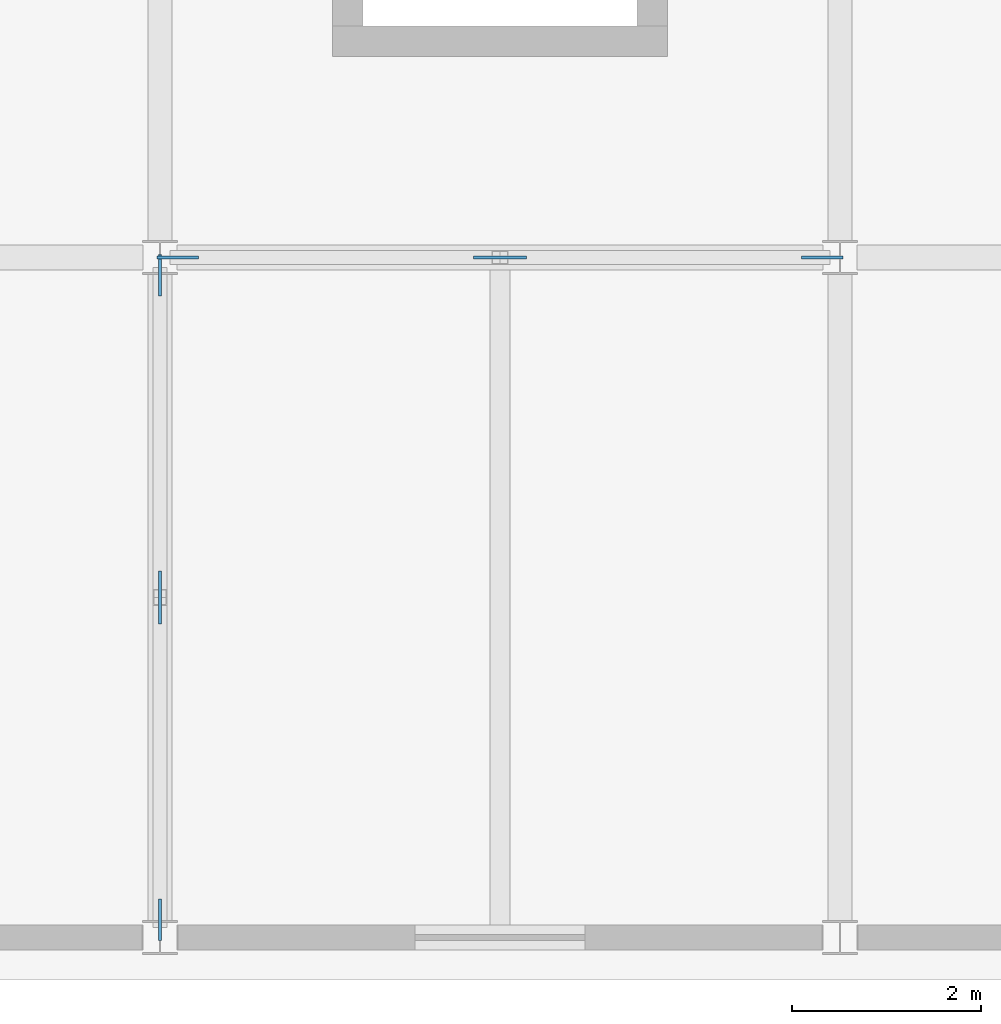
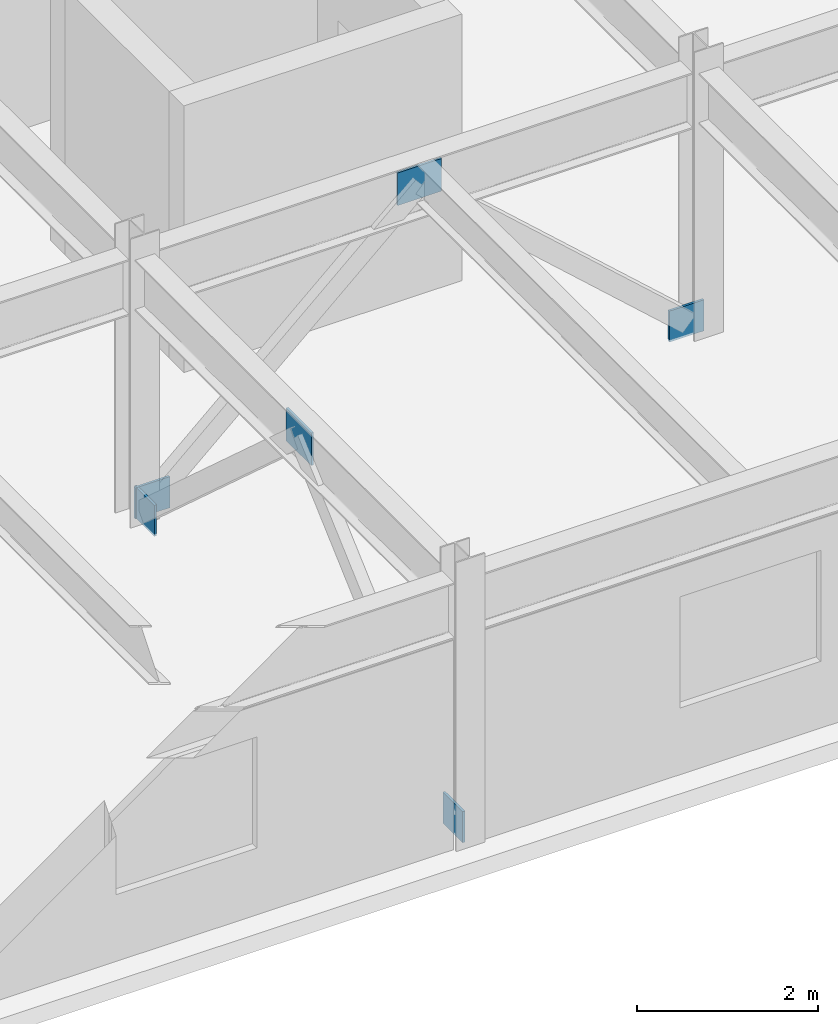
# One storey, part 50 of 80: 6 plates.
"""IFC4 building model written with IfcOpenShell, lengths in metres."""

from ifc_helpers import new_model, si_unit, direction, frame, origin, origin_2d, place, context, subcontext, project, spatial, rectangle, extrude, material, layer, layer_set, type_object, element, save


model = new_model("IFC4")

# Units and contexts
model_context = context("Model", 3, precision=1e-05, world=origin(), true_north=direction((0.0, 1.0)))
body_context = subcontext(model_context, "Body", "Model", "MODEL_VIEW")
ifc_project = project(units=[si_unit("LENGTHUNIT", "METRE"), si_unit("AREAUNIT", "SQUARE_METRE"), si_unit("VOLUMEUNIT", "CUBIC_METRE"), si_unit("PLANEANGLEUNIT", "RADIAN"), si_unit("MASSUNIT", "GRAM", prefix="KILO")], contexts=[model_context])

# Site, building, storey
site_placement = place(None, origin())
site = spatial("IfcSite", under=ifc_project, at=site_placement, CompositionType="ELEMENT")
building_placement = place(site_placement, origin())
building = spatial("IfcBuilding", under=site, at=building_placement, Name="Vaelcorin Mobility Hub", CompositionType="ELEMENT")
storey_placement = place(building_placement, frame((0.0, 0.0, 9.300048828125)))
storey = spatial("IfcBuildingStorey", under=building, at=storey_placement, Name="L02", CompositionType="ELEMENT", Elevation=9.300048828125)

# Plates
ifc_material = material(Name="Steel ASTM A572 Grade 50", Category="steel")
ifc_layer = layer(ifc_material, 0.030029296875)
ifc_layer_set = layer_set([ifc_layer], Name="Steel ASTM A572 Grade 50")
plate_type = type_object("IfcPlateType", Name="PL-GN2", PredefinedType="USERDEFINED", material=ifc_layer_set)
for number, where, z_axis, x_axis, name in (
    (1, (160.989990234375, 13.199951171875, -0.030029296875), (0.0, 0.0, 1.0), (1.0, 0.0, 0.0), "SCBF Gusset Plate GN2 V5-BX1-L02-A"),
    (2, (167.81005859375, 13.199951171875, -0.030029296875), (0.0, 0.0, 1.0), (1.0, 0.0, 0.0), "SCBF Gusset Plate GN2 V5-BX1-L02-B"),
):
    element("IfcPlate", number, at=place(storey_placement, frame(where, z_axis=z_axis, x_axis=x_axis)), inside=storey, type_object=plate_type, Name=name, ObjectType="GUSSET PLATE", PredefinedType="USERDEFINED", context=body_context, shape_type="SweptSolid", body=[
        extrude(rectangle(XDim=0.43994140625, YDim=0.030029296875, at=origin_2d()), origin(), (0.0, 0.0, 1.0), 0.419921875),
    ])
plate_1_placement = place(storey_placement, frame((164.39990234375, 13.199951171875, 3.030029296875), z_axis=(0.0, 0.0, 1.0), x_axis=(1.0, 0.0, 0.0)))
element("IfcPlate", 3, at=plate_1_placement, inside=storey, type_object=plate_type, Name="SCBF Apex Gusset GN2 V5-BX1-L02", ObjectType="GUSSET PLATE", PredefinedType="USERDEFINED", context=body_context, shape_type="SweptSolid", body=[
    extrude(rectangle(XDim=0.56005859375, YDim=0.030029296875, at=origin_2d()), origin(), (0.0, 0.0, 1.0), 0.43994140625),
])
for number, where, z_axis, x_axis, name in (
    (4, (160.800048828125, 6.18994140625, -0.030029296875), (0.0, 0.0, 1.0), (0.0, 1.0, 0.0), "SCBF Gusset Plate GN2 V5-BY1-L02-A"),
    (5, (160.800048828125, 13.010009765625, -0.030029296875), (0.0, 0.0, 1.0), (0.0, 1.0, 0.0), "SCBF Gusset Plate GN2 V5-BY1-L02-B"),
):
    element("IfcPlate", number, at=place(storey_placement, frame(where, z_axis=z_axis, x_axis=x_axis)), inside=storey, type_object=plate_type, Name=name, ObjectType="GUSSET PLATE", PredefinedType="USERDEFINED", context=body_context, shape_type="SweptSolid", body=[
        extrude(rectangle(XDim=0.43994140625, YDim=0.030029296875, at=origin_2d()), origin(), (0.0, 0.0, 1.0), 0.419921875),
    ])
plate_2_placement = place(storey_placement, frame((160.800048828125, 9.60009765625, 3.030029296875), z_axis=(0.0, 0.0, 1.0), x_axis=(0.0, 1.0, 0.0)))
element("IfcPlate", 6, at=plate_2_placement, inside=storey, type_object=plate_type, Name="SCBF Apex Gusset GN2 V5-BY1-L02", ObjectType="GUSSET PLATE", PredefinedType="USERDEFINED", context=body_context, shape_type="SweptSolid", body=[
    extrude(rectangle(XDim=0.56005859375, YDim=0.030029296875, at=origin_2d()), origin(), (0.0, 0.0, 1.0), 0.43994140625),
])

save(model, "model.ifc")
